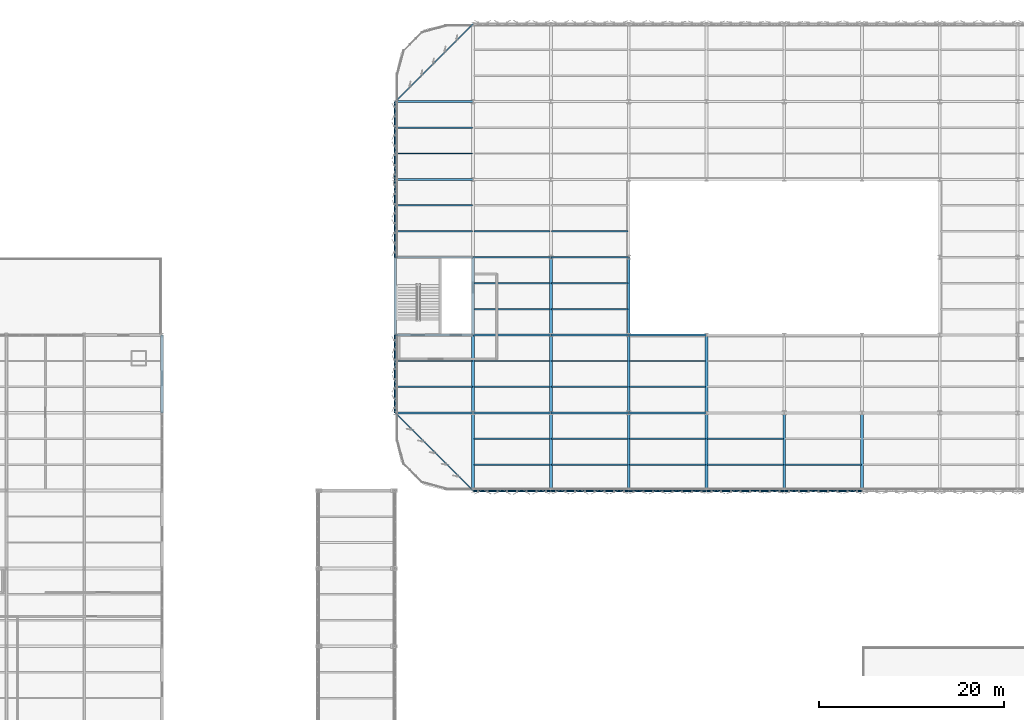
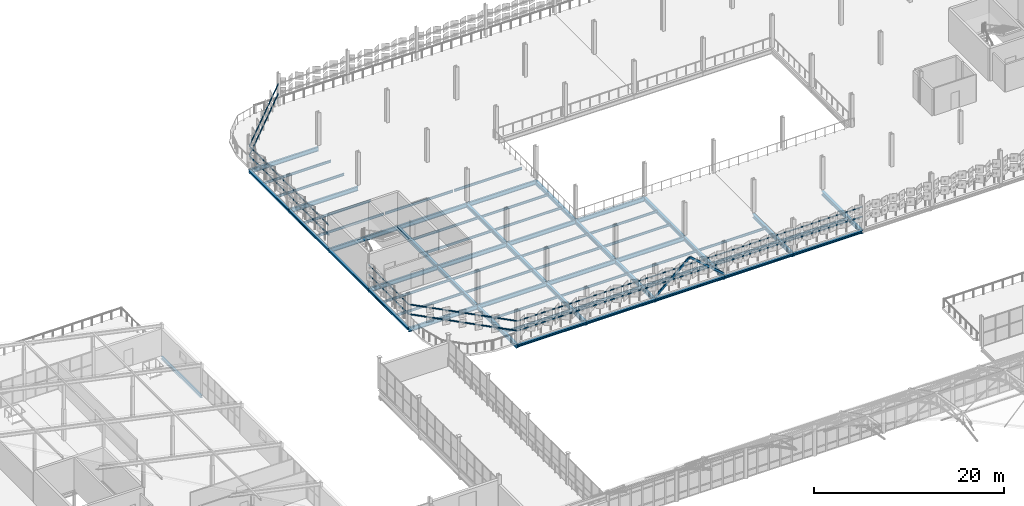
# One storey, part 115 of 184: 83 beams, 2 members.
"""IFC4 building model written with IfcOpenShell, lengths in metres."""

from ifc_helpers import new_model, si_unit, direction, frame, origin, origin_2d, place, context, subcontext, project, spatial, hollow_rectangle, i_section, extrude, material, material_profile, profile_set, type_object, element, save


model = new_model("IFC4")

# Units and contexts
model_context = context("Model", 3, precision=1e-05, world=origin(), true_north=direction((0.0, 1.0)))
body_context = subcontext(model_context, "Body", "Model", "MODEL_VIEW")
ifc_project = project(units=[si_unit("LENGTHUNIT", "METRE"), si_unit("AREAUNIT", "SQUARE_METRE"), si_unit("VOLUMEUNIT", "CUBIC_METRE"), si_unit("PLANEANGLEUNIT", "RADIAN"), si_unit("MASSUNIT", "GRAM", prefix="KILO")], contexts=[model_context])

# Site, building, storey
site_placement = place(None, origin())
site = spatial("IfcSite", under=ifc_project, at=site_placement, CompositionType="ELEMENT")
building_placement = place(site_placement, origin())
building = spatial("IfcBuilding", under=site, at=building_placement, Name="Qalvenar Corner Mobility Hub", CompositionType="ELEMENT")
storey_placement = place(building_placement, frame((0.0, 0.0, 9.0)))
storey = spatial("IfcBuildingStorey", under=building, at=storey_placement, Name="L02", CompositionType="ELEMENT", Elevation=9.0)

# Beams
ifc_material = material(Name="Steel S355", Category="steel")
ifc_material_profile_1 = material_profile(ifc_material, i_section(OverallWidth=0.300048828125, OverallDepth=0.489990234375, WebThickness=0.011962890625, FlangeThickness=0.02294921875, FilletRadius=0.027099609375, at=origin_2d()), Name="HEA500")
ifc_profile_set_1 = profile_set([ifc_material_profile_1], Name="Steel S355")
beam_type_1 = type_object("IfcBeamType", Name="BM-HEA500", PredefinedType="BEAM", material=ifc_profile_set_1)
beam_1_placement = place(storey_placement, frame((67.199951171875, 67.199951171875, -0.485107421875), z_axis=(0.0, 1.0, 0.0), x_axis=(-1.0, 0.0, 0.0)))
element("IfcBeam", 1, at=beam_1_placement, inside=storey, type_object=beam_type_1, Name="Primary Steel Girder GY-1968", PredefinedType="BEAM", context=body_context, shape_type="SweptSolid", body=[
    extrude(i_section(OverallWidth=0.300048828125, OverallDepth=0.489990234375, WebThickness=0.011962890625, FlangeThickness=0.02294921875, FilletRadius=0.027099609375, at=origin_2d()), origin(), (0.0, 0.0, 1.0), 8.400146484375),
])
for number, where, z_axis, x_axis, name in (
    (2, (67.199951171875, 75.60009765625, -0.485107421875), (0.0, 1.0, 0.0), (-1.0, 0.0, 0.0), "Primary Steel Girder GY-1969"),
    (3, (67.199951171875, 84.0, -0.485107421875), (0.0, 1.0, 0.0), (-1.0, 0.0, 0.0), "Primary Steel Girder GY-1970"),
):
    element("IfcBeam", number, at=place(storey_placement, frame(where, z_axis=z_axis, x_axis=x_axis)), inside=storey, type_object=beam_type_1, Name=name, PredefinedType="BEAM", context=body_context, shape_type="SweptSolid", body=[
        extrude(i_section(OverallWidth=0.300048828125, OverallDepth=0.489990234375, WebThickness=0.011962890625, FlangeThickness=0.02294921875, FilletRadius=0.027099609375, at=origin_2d()), origin(), (0.0, 0.0, 1.0), 8.39990234375),
    ])
beam_2_placement = place(storey_placement, frame((75.60009765625, 67.199951171875, -0.485107421875), z_axis=(0.0, 1.0, 0.0), x_axis=(-1.0, 0.0, 0.0)))
element("IfcBeam", 4, at=beam_2_placement, inside=storey, type_object=beam_type_1, Name="Primary Steel Girder GY-1974", PredefinedType="BEAM", context=body_context, shape_type="SweptSolid", body=[
    extrude(i_section(OverallWidth=0.300048828125, OverallDepth=0.489990234375, WebThickness=0.011962890625, FlangeThickness=0.02294921875, FilletRadius=0.027099609375, at=origin_2d()), origin(), (0.0, 0.0, 1.0), 8.400146484375),
])
for number, where, z_axis, x_axis, name in (
    (5, (75.60009765625, 75.60009765625, -0.485107421875), (0.0, 1.0, 0.0), (-1.0, 0.0, 0.0), "Primary Steel Girder GY-1975"),
    (6, (75.60009765625, 84.0, -0.485107421875), (0.0, 1.0, 0.0), (-1.0, 0.0, 0.0), "Primary Steel Girder GY-1976"),
):
    element("IfcBeam", number, at=place(storey_placement, frame(where, z_axis=z_axis, x_axis=x_axis)), inside=storey, type_object=beam_type_1, Name=name, PredefinedType="BEAM", context=body_context, shape_type="SweptSolid", body=[
        extrude(i_section(OverallWidth=0.300048828125, OverallDepth=0.489990234375, WebThickness=0.011962890625, FlangeThickness=0.02294921875, FilletRadius=0.027099609375, at=origin_2d()), origin(), (0.0, 0.0, 1.0), 8.39990234375),
    ])
beam_3_placement = place(storey_placement, frame((84.0, 67.199951171875, -0.485107421875), z_axis=(0.0, 1.0, 0.0), x_axis=(-1.0, 0.0, 0.0)))
element("IfcBeam", 7, at=beam_3_placement, inside=storey, type_object=beam_type_1, Name="Primary Steel Girder GY-1980", PredefinedType="BEAM", context=body_context, shape_type="SweptSolid", body=[
    extrude(i_section(OverallWidth=0.300048828125, OverallDepth=0.489990234375, WebThickness=0.011962890625, FlangeThickness=0.02294921875, FilletRadius=0.027099609375, at=origin_2d()), origin(), (0.0, 0.0, 1.0), 8.400146484375),
])
for number, where, z_axis, x_axis, name in (
    (8, (84.0, 75.60009765625, -0.485107421875), (0.0, 1.0, 0.0), (-1.0, 0.0, 0.0), "Primary Steel Girder GY-1981"),
    (9, (84.0, 84.0, -0.485107421875), (0.0, 1.0, 0.0), (-1.0, 0.0, 0.0), "Primary Steel Girder GY-1982"),
):
    element("IfcBeam", number, at=place(storey_placement, frame(where, z_axis=z_axis, x_axis=x_axis)), inside=storey, type_object=beam_type_1, Name=name, PredefinedType="BEAM", context=body_context, shape_type="SweptSolid", body=[
        extrude(i_section(OverallWidth=0.300048828125, OverallDepth=0.489990234375, WebThickness=0.011962890625, FlangeThickness=0.02294921875, FilletRadius=0.027099609375, at=origin_2d()), origin(), (0.0, 0.0, 1.0), 8.39990234375),
    ])
beam_4_placement = place(storey_placement, frame((92.39990234375, 67.199951171875, -0.485107421875), z_axis=(0.0, 1.0, 0.0), x_axis=(-1.0, 0.0, 0.0)))
element("IfcBeam", 10, at=beam_4_placement, inside=storey, type_object=beam_type_1, Name="Primary Steel Girder GY-1986", PredefinedType="BEAM", context=body_context, shape_type="SweptSolid", body=[
    extrude(i_section(OverallWidth=0.300048828125, OverallDepth=0.489990234375, WebThickness=0.011962890625, FlangeThickness=0.02294921875, FilletRadius=0.027099609375, at=origin_2d()), origin(), (0.0, 0.0, 1.0), 8.400146484375),
])
beam_5_placement = place(storey_placement, frame((92.39990234375, 75.60009765625, -0.485107421875), z_axis=(0.0, 1.0, 0.0), x_axis=(-1.0, 0.0, 0.0)))
element("IfcBeam", 11, at=beam_5_placement, inside=storey, type_object=beam_type_1, Name="Primary Steel Girder GY-1987", PredefinedType="BEAM", context=body_context, shape_type="SweptSolid", body=[
    extrude(i_section(OverallWidth=0.300048828125, OverallDepth=0.489990234375, WebThickness=0.011962890625, FlangeThickness=0.02294921875, FilletRadius=0.027099609375, at=origin_2d()), origin(), (0.0, 0.0, 1.0), 8.39990234375),
])
for number, where, z_axis, x_axis, name in (
    (12, (100.800048828125, 67.199951171875, -0.485107421875), (0.0, 1.0, 0.0), (-1.0, 0.0, 0.0), "Primary Steel Girder GY-1990"),
    (13, (109.199951171875, 67.199951171875, -0.485107421875), (0.0, 1.0, 0.0), (-1.0, 0.0, 0.0), "Primary Steel Girder GY-1994"),
):
    element("IfcBeam", number, at=place(storey_placement, frame(where, z_axis=z_axis, x_axis=x_axis)), inside=storey, type_object=beam_type_1, Name=name, PredefinedType="BEAM", context=body_context, shape_type="SweptSolid", body=[
        extrude(i_section(OverallWidth=0.300048828125, OverallDepth=0.489990234375, WebThickness=0.011962890625, FlangeThickness=0.02294921875, FilletRadius=0.027099609375, at=origin_2d()), origin(), (0.0, 0.0, 1.0), 8.400146484375),
    ])
ifc_material_profile_2 = material_profile(ifc_material, i_section(OverallWidth=0.2099609375, OverallDepth=0.550048828125, WebThickness=0.010986328125, FlangeThickness=0.01708984375, FilletRadius=0.02392578125, at=origin_2d()), Name="IPE550")
ifc_profile_set_2 = profile_set([ifc_material_profile_2], Name="Steel S355")
beam_type_2 = type_object("IfcBeamType", Name="BM-IPE550", PredefinedType="BEAM", material=ifc_profile_set_2)
beam_6_placement = place(storey_placement, frame((58.800048828125, 75.60009765625, -0.514892578125), z_axis=(1.0, 0.0, 0.0), x_axis=(0.0, 1.0, 0.0)))
element("IfcBeam", 14, at=beam_6_placement, inside=storey, type_object=beam_type_2, Name="Primary Steel Girder GX-1910", PredefinedType="BEAM", context=body_context, shape_type="SweptSolid", body=[
    extrude(i_section(OverallWidth=0.2099609375, OverallDepth=0.550048828125, WebThickness=0.010986328125, FlangeThickness=0.01708984375, FilletRadius=0.02392578125, at=origin_2d()), origin(), (0.0, 0.0, 1.0), 8.39990234375),
])
beam_7_placement = place(storey_placement, frame((67.199951171875, 75.60009765625, -0.514892578125), z_axis=(1.0, 0.0, 0.0), x_axis=(0.0, 1.0, 0.0)))
element("IfcBeam", 15, at=beam_7_placement, inside=storey, type_object=beam_type_2, Name="Primary Steel Girder GX-1911", PredefinedType="BEAM", context=body_context, shape_type="SweptSolid", body=[
    extrude(i_section(OverallWidth=0.2099609375, OverallDepth=0.550048828125, WebThickness=0.010986328125, FlangeThickness=0.01708984375, FilletRadius=0.02392578125, at=origin_2d()), origin(), (0.0, 0.0, 1.0), 8.400146484375),
])
for number, where, z_axis, x_axis, name in (
    (16, (75.60009765625, 75.60009765625, -0.514892578125), (1.0, 0.0, 0.0), (0.0, 1.0, 0.0), "Primary Steel Girder GX-1912"),
    (17, (84.0, 75.60009765625, -0.514892578125), (1.0, 0.0, 0.0), (0.0, 1.0, 0.0), "Primary Steel Girder GX-1913"),
    (18, (58.800048828125, 84.0, -0.514892578125), (1.0, 0.0, 0.0), (0.0, 1.0, 0.0), "Primary Steel Girder GX-1920"),
):
    element("IfcBeam", number, at=place(storey_placement, frame(where, z_axis=z_axis, x_axis=x_axis)), inside=storey, type_object=beam_type_2, Name=name, PredefinedType="BEAM", context=body_context, shape_type="SweptSolid", body=[
        extrude(i_section(OverallWidth=0.2099609375, OverallDepth=0.550048828125, WebThickness=0.010986328125, FlangeThickness=0.01708984375, FilletRadius=0.02392578125, at=origin_2d()), origin(), (0.0, 0.0, 1.0), 8.39990234375),
    ])
beam_8_placement = place(storey_placement, frame((67.199951171875, 84.0, -0.514892578125), z_axis=(1.0, 0.0, 0.0), x_axis=(0.0, 1.0, 0.0)))
element("IfcBeam", 19, at=beam_8_placement, inside=storey, type_object=beam_type_2, Name="Primary Steel Girder GX-1921", PredefinedType="BEAM", context=body_context, shape_type="SweptSolid", body=[
    extrude(i_section(OverallWidth=0.2099609375, OverallDepth=0.550048828125, WebThickness=0.010986328125, FlangeThickness=0.01708984375, FilletRadius=0.02392578125, at=origin_2d()), origin(), (0.0, 0.0, 1.0), 8.400146484375),
])
for number, where, z_axis, x_axis, name in (
    (20, (75.60009765625, 84.0, -0.514892578125), (1.0, 0.0, 0.0), (0.0, 1.0, 0.0), "Primary Steel Girder GX-1922"),
    (21, (84.0, 84.0, -0.514892578125), (1.0, 0.0, 0.0), (0.0, 1.0, 0.0), "Primary Steel Girder GX-1923"),
    (22, (58.800048828125, 92.39990234375, -0.514892578125), (1.0, 0.0, 0.0), (0.0, 1.0, 0.0), "Primary Steel Girder GX-1930"),
):
    element("IfcBeam", number, at=place(storey_placement, frame(where, z_axis=z_axis, x_axis=x_axis)), inside=storey, type_object=beam_type_2, Name=name, PredefinedType="BEAM", context=body_context, shape_type="SweptSolid", body=[
        extrude(i_section(OverallWidth=0.2099609375, OverallDepth=0.550048828125, WebThickness=0.010986328125, FlangeThickness=0.01708984375, FilletRadius=0.02392578125, at=origin_2d()), origin(), (0.0, 0.0, 1.0), 8.39990234375),
    ])
beam_9_placement = place(storey_placement, frame((67.199951171875, 92.39990234375, -0.514892578125), z_axis=(1.0, 0.0, 0.0), x_axis=(0.0, 1.0, 0.0)))
element("IfcBeam", 23, at=beam_9_placement, inside=storey, type_object=beam_type_2, Name="Primary Steel Girder GX-1931", PredefinedType="BEAM", context=body_context, shape_type="SweptSolid", body=[
    extrude(i_section(OverallWidth=0.2099609375, OverallDepth=0.550048828125, WebThickness=0.010986328125, FlangeThickness=0.01708984375, FilletRadius=0.02392578125, at=origin_2d()), origin(), (0.0, 0.0, 1.0), 8.400146484375),
])
for number, where, z_axis, x_axis, name in (
    (24, (75.60009765625, 92.39990234375, -0.514892578125), (1.0, 0.0, 0.0), (0.0, 1.0, 0.0), "Primary Steel Girder GX-1932"),
    (25, (58.800048828125, 100.800048828125, -0.514892578125), (1.0, 0.0, 0.0), (0.0, 1.0, 0.0), "Primary Steel Girder GX-1936"),
    (26, (58.800048828125, 109.199951171875, -0.514892578125), (1.0, 0.0, 0.0), (0.0, 1.0, 0.0), "Primary Steel Girder GX-1946"),
):
    element("IfcBeam", number, at=place(storey_placement, frame(where, z_axis=z_axis, x_axis=x_axis)), inside=storey, type_object=beam_type_2, Name=name, PredefinedType="BEAM", context=body_context, shape_type="SweptSolid", body=[
        extrude(i_section(OverallWidth=0.2099609375, OverallDepth=0.550048828125, WebThickness=0.010986328125, FlangeThickness=0.01708984375, FilletRadius=0.02392578125, at=origin_2d()), origin(), (0.0, 0.0, 1.0), 8.39990234375),
    ])
ifc_material_profile_3 = material_profile(ifc_material, i_section(OverallWidth=0.14990234375, OverallDepth=0.300048828125, WebThickness=0.007080078125, FlangeThickness=0.0107421875, FilletRadius=0.014892578125, at=origin_2d()), Name="IPE300")
ifc_profile_set_3 = profile_set([ifc_material_profile_3], Name="Steel S355")
beam_type_3 = type_object("IfcBeamType", Name="BM-JST300", PredefinedType="JOIST", material=ifc_profile_set_3)
for number, where, z_axis, x_axis, name in (
    (27, (58.8779296875, 78.39990234375, -0.389892578125), (1.0, 0.0, 0.0), (0.0, 1.0, 0.0), "Composite Floor Joist J-2020"),
    (28, (58.8779296875, 81.199951171875, -0.389892578125), (1.0, 0.0, 0.0), (0.0, 1.0, 0.0), "Composite Floor Joist J-2021"),
    (29, (58.8779296875, 95.199951171875, -0.389892578125), (1.0, 0.0, 0.0), (0.0, 1.0, 0.0), "Composite Floor Joist J-2022"),
    (30, (58.8779296875, 98.0, -0.389892578125), (1.0, 0.0, 0.0), (0.0, 1.0, 0.0), "Composite Floor Joist J-2023"),
    (31, (58.8779296875, 103.60009765625, -0.389892578125), (1.0, 0.0, 0.0), (0.0, 1.0, 0.0), "Composite Floor Joist J-2024"),
    (32, (58.8779296875, 106.39990234375, -0.389892578125), (1.0, 0.0, 0.0), (0.0, 1.0, 0.0), "Composite Floor Joist J-2025"),
):
    element("IfcBeam", number, at=place(storey_placement, frame(where, z_axis=z_axis, x_axis=x_axis)), inside=storey, type_object=beam_type_3, Name=name, PredefinedType="JOIST", context=body_context, shape_type="SweptSolid", body=[
        extrude(i_section(OverallWidth=0.14990234375, OverallDepth=0.300048828125, WebThickness=0.007080078125, FlangeThickness=0.0107421875, FilletRadius=0.014892578125, at=origin_2d()), origin(), (0.0, 0.0, 1.0), 8.244140625),
    ])
for number, where, z_axis, x_axis, name in (
    (33, (67.278076171875, 70.0, -0.389892578125), (1.0, 0.0, 0.0), (0.0, 1.0, 0.0), "Composite Floor Joist J-2026"),
    (34, (67.278076171875, 72.800048828125, -0.389892578125), (1.0, 0.0, 0.0), (0.0, 1.0, 0.0), "Composite Floor Joist J-2027"),
    (35, (67.278076171875, 78.39990234375, -0.389892578125), (1.0, 0.0, 0.0), (0.0, 1.0, 0.0), "Composite Floor Joist J-2028"),
    (36, (67.278076171875, 81.199951171875, -0.389892578125), (1.0, 0.0, 0.0), (0.0, 1.0, 0.0), "Composite Floor Joist J-2029"),
    (37, (67.278076171875, 86.800048828125, -0.389892578125), (1.0, 0.0, 0.0), (0.0, 1.0, 0.0), "Composite Floor Joist J-2030"),
    (38, (67.278076171875, 89.60009765625, -0.389892578125), (1.0, 0.0, 0.0), (0.0, 1.0, 0.0), "Composite Floor Joist J-2031"),
    (39, (67.278076171875, 95.199951171875, -0.389892578125), (1.0, 0.0, 0.0), (0.0, 1.0, 0.0), "Composite Floor Joist J-2032"),
):
    element("IfcBeam", number, at=place(storey_placement, frame(where, z_axis=z_axis, x_axis=x_axis)), inside=storey, type_object=beam_type_3, Name=name, PredefinedType="JOIST", context=body_context, shape_type="SweptSolid", body=[
        extrude(i_section(OverallWidth=0.14990234375, OverallDepth=0.300048828125, WebThickness=0.007080078125, FlangeThickness=0.0107421875, FilletRadius=0.014892578125, at=origin_2d()), origin(), (0.0, 0.0, 1.0), 8.243896484375),
    ])
for number, where, z_axis, x_axis, name in (
    (40, (75.677978515625, 70.0, -0.389892578125), (1.0, 0.0, 0.0), (0.0, 1.0, 0.0), "Composite Floor Joist J-2038"),
    (41, (75.677978515625, 72.800048828125, -0.389892578125), (1.0, 0.0, 0.0), (0.0, 1.0, 0.0), "Composite Floor Joist J-2039"),
    (42, (75.677978515625, 78.39990234375, -0.389892578125), (1.0, 0.0, 0.0), (0.0, 1.0, 0.0), "Composite Floor Joist J-2040"),
    (43, (75.677978515625, 81.199951171875, -0.389892578125), (1.0, 0.0, 0.0), (0.0, 1.0, 0.0), "Composite Floor Joist J-2041"),
    (44, (75.677978515625, 86.800048828125, -0.389892578125), (1.0, 0.0, 0.0), (0.0, 1.0, 0.0), "Composite Floor Joist J-2042"),
    (45, (75.677978515625, 89.60009765625, -0.389892578125), (1.0, 0.0, 0.0), (0.0, 1.0, 0.0), "Composite Floor Joist J-2043"),
    (46, (75.677978515625, 95.199951171875, -0.389892578125), (1.0, 0.0, 0.0), (0.0, 1.0, 0.0), "Composite Floor Joist J-2044"),
    (47, (84.077880859375, 70.0, -0.389892578125), (1.0, 0.0, 0.0), (0.0, 1.0, 0.0), "Composite Floor Joist J-2050"),
    (48, (84.077880859375, 72.800048828125, -0.389892578125), (1.0, 0.0, 0.0), (0.0, 1.0, 0.0), "Composite Floor Joist J-2051"),
    (49, (84.077880859375, 78.39990234375, -0.389892578125), (1.0, 0.0, 0.0), (0.0, 1.0, 0.0), "Composite Floor Joist J-2052"),
    (50, (84.077880859375, 81.199951171875, -0.389892578125), (1.0, 0.0, 0.0), (0.0, 1.0, 0.0), "Composite Floor Joist J-2053"),
):
    element("IfcBeam", number, at=place(storey_placement, frame(where, z_axis=z_axis, x_axis=x_axis)), inside=storey, type_object=beam_type_3, Name=name, PredefinedType="JOIST", context=body_context, shape_type="SweptSolid", body=[
        extrude(i_section(OverallWidth=0.14990234375, OverallDepth=0.300048828125, WebThickness=0.007080078125, FlangeThickness=0.0107421875, FilletRadius=0.014892578125, at=origin_2d()), origin(), (0.0, 0.0, 1.0), 8.244140625),
    ])
for number, where, z_axis, x_axis, name in (
    (51, (92.47802734375, 70.0, -0.389892578125), (1.0, 0.0, 0.0), (0.0, 1.0, 0.0), "Composite Floor Joist J-2058"),
    (52, (92.47802734375, 72.800048828125, -0.389892578125), (1.0, 0.0, 0.0), (0.0, 1.0, 0.0), "Composite Floor Joist J-2059"),
):
    element("IfcBeam", number, at=place(storey_placement, frame(where, z_axis=z_axis, x_axis=x_axis)), inside=storey, type_object=beam_type_3, Name=name, PredefinedType="JOIST", context=body_context, shape_type="SweptSolid", body=[
        extrude(i_section(OverallWidth=0.14990234375, OverallDepth=0.300048828125, WebThickness=0.007080078125, FlangeThickness=0.0107421875, FilletRadius=0.014892578125, at=origin_2d()), origin(), (0.0, 0.0, 1.0), 8.243896484375),
    ])
beam_10_placement = place(storey_placement, frame((100.8779296875, 70.0, -0.389892578125), z_axis=(1.0, 0.0, 0.0), x_axis=(0.0, 1.0, 0.0)))
element("IfcBeam", 53, at=beam_10_placement, inside=storey, type_object=beam_type_3, Name="Composite Floor Joist J-2066", PredefinedType="JOIST", context=body_context, shape_type="SweptSolid", body=[
    extrude(i_section(OverallWidth=0.14990234375, OverallDepth=0.300048828125, WebThickness=0.007080078125, FlangeThickness=0.0107421875, FilletRadius=0.014892578125, at=origin_2d()), origin(), (0.0, 0.0, 1.0), 8.244140625),
])
ifc_material_profile_4 = material_profile(ifc_material, i_section(OverallWidth=0.300048828125, OverallDepth=0.2900390625, WebThickness=0.008544921875, FlangeThickness=0.013916015625, FilletRadius=0.027099609375, at=origin_2d()), Name="HEA300")
ifc_profile_set_4 = profile_set([ifc_material_profile_4], Name="Steel S355")
beam_type_4 = type_object("IfcBeamType", Name="BM-SPN300", PredefinedType="SPANDREL", material=ifc_profile_set_4)
for number, where, z_axis, x_axis, name in (
    (54, (33.60009765625, 75.60009765625, -0.324951171875), (0.0, 1.0, 0.0), (-1.0, 0.0, 0.0), "Primary Steel Girder GY-1863"),
    (55, (58.800048828125, 75.60009765625, -0.385009765625), (0.0, 1.0, 0.0), (-1.0, 0.0, 0.0), "Primary Steel Girder GY-1964"),
    (56, (58.800048828125, 84.0, -0.385009765625), (0.0, 1.0, 0.0), (-1.0, 0.0, 0.0), "Primary Steel Girder GY-1965"),
):
    element("IfcBeam", number, at=place(storey_placement, frame(where, z_axis=z_axis, x_axis=x_axis)), inside=storey, type_object=beam_type_4, Name=name, PredefinedType="SPANDREL", context=body_context, shape_type="SweptSolid", body=[
        extrude(i_section(OverallWidth=0.300048828125, OverallDepth=0.2900390625, WebThickness=0.008544921875, FlangeThickness=0.013916015625, FilletRadius=0.027099609375, at=origin_2d()), origin(), (0.0, 0.0, 1.0), 8.39990234375),
    ])
beam_11_placement = place(storey_placement, frame((58.800048828125, 92.39990234375, -0.385009765625), z_axis=(0.0, 1.0, 0.0), x_axis=(-1.0, 0.0, 0.0)))
element("IfcBeam", 57, at=beam_11_placement, inside=storey, type_object=beam_type_4, Name="Primary Steel Girder GY-1966", PredefinedType="SPANDREL", context=body_context, shape_type="SweptSolid", body=[
    extrude(i_section(OverallWidth=0.300048828125, OverallDepth=0.2900390625, WebThickness=0.008544921875, FlangeThickness=0.013916015625, FilletRadius=0.027099609375, at=origin_2d()), origin(), (0.0, 0.0, 1.0), 8.400146484375),
])
beam_12_placement = place(storey_placement, frame((58.800048828125, 100.800048828125, -0.385009765625), z_axis=(0.0, 1.0, 0.0), x_axis=(-1.0, 0.0, 0.0)))
element("IfcBeam", 58, at=beam_12_placement, inside=storey, type_object=beam_type_4, Name="Primary Steel Girder GY-1967", PredefinedType="SPANDREL", context=body_context, shape_type="SweptSolid", body=[
    extrude(i_section(OverallWidth=0.300048828125, OverallDepth=0.2900390625, WebThickness=0.008544921875, FlangeThickness=0.013916015625, FilletRadius=0.027099609375, at=origin_2d()), origin(), (0.0, 0.0, 1.0), 8.39990234375),
])
ifc_material_profile_5 = material_profile(ifc_material, i_section(OverallWidth=0.300048828125, OverallDepth=0.31005859375, WebThickness=0.009033203125, FlangeThickness=0.015380859375, FilletRadius=0.027099609375, at=origin_2d()), Name="HEA320")
ifc_profile_set_5 = profile_set([ifc_material_profile_5], Name="Steel S355")
beam_type_5 = type_object("IfcBeamType", Name="BM-SPN320", PredefinedType="SPANDREL", material=ifc_profile_set_5)
beam_13_placement = place(storey_placement, frame((67.199951171875, 67.199951171875, -0.39501953125), z_axis=(1.0, 0.0, 0.0), x_axis=(0.0, 1.0, 0.0)))
element("IfcBeam", 59, at=beam_13_placement, inside=storey, type_object=beam_type_5, Name="Primary Steel Girder GX-1902", PredefinedType="SPANDREL", context=body_context, shape_type="SweptSolid", body=[
    extrude(i_section(OverallWidth=0.300048828125, OverallDepth=0.31005859375, WebThickness=0.009033203125, FlangeThickness=0.015380859375, FilletRadius=0.027099609375, at=origin_2d()), origin(), (0.0, 0.0, 1.0), 8.400146484375),
])
for number, where, z_axis, x_axis, name in (
    (60, (75.60009765625, 67.199951171875, -0.39501953125), (1.0, 0.0, 0.0), (0.0, 1.0, 0.0), "Primary Steel Girder GX-1903"),
    (61, (84.0, 67.199951171875, -0.39501953125), (1.0, 0.0, 0.0), (0.0, 1.0, 0.0), "Primary Steel Girder GX-1904"),
):
    element("IfcBeam", number, at=place(storey_placement, frame(where, z_axis=z_axis, x_axis=x_axis)), inside=storey, type_object=beam_type_5, Name=name, PredefinedType="SPANDREL", context=body_context, shape_type="SweptSolid", body=[
        extrude(i_section(OverallWidth=0.300048828125, OverallDepth=0.31005859375, WebThickness=0.009033203125, FlangeThickness=0.015380859375, FilletRadius=0.027099609375, at=origin_2d()), origin(), (0.0, 0.0, 1.0), 8.39990234375),
    ])
beam_14_placement = place(storey_placement, frame((92.39990234375, 67.199951171875, -0.39501953125), z_axis=(1.0, 0.0, 0.0), x_axis=(0.0, 1.0, 0.0)))
element("IfcBeam", 62, at=beam_14_placement, inside=storey, type_object=beam_type_5, Name="Primary Steel Girder GX-1905", PredefinedType="SPANDREL", context=body_context, shape_type="SweptSolid", body=[
    extrude(i_section(OverallWidth=0.300048828125, OverallDepth=0.31005859375, WebThickness=0.009033203125, FlangeThickness=0.015380859375, FilletRadius=0.027099609375, at=origin_2d()), origin(), (0.0, 0.0, 1.0), 8.400146484375),
])
beam_15_placement = place(storey_placement, frame((100.800048828125, 67.199951171875, -0.39501953125), z_axis=(1.0, 0.0, 0.0), x_axis=(0.0, 1.0, 0.0)))
element("IfcBeam", 63, at=beam_15_placement, inside=storey, type_object=beam_type_5, Name="Primary Steel Girder GX-1906", PredefinedType="SPANDREL", context=body_context, shape_type="SweptSolid", body=[
    extrude(i_section(OverallWidth=0.300048828125, OverallDepth=0.31005859375, WebThickness=0.009033203125, FlangeThickness=0.015380859375, FilletRadius=0.027099609375, at=origin_2d()), origin(), (0.0, 0.0, 1.0), 8.39990234375),
])

# Members
ifc_material_profile_6 = material_profile(ifc_material, hollow_rectangle(XDim=0.14990234375, YDim=0.25, WallThickness=0.010009765625, InnerFilletRadius=0.010009765625, OuterFilletRadius=0.02001953125, at=origin_2d()), Name="RHS250x150x10")
ifc_profile_set_6 = profile_set([ifc_material_profile_6], Name="Steel S355")
member_type = type_object("IfcMemberType", Name="BR-RHS250", PredefinedType="BRACE", material=ifc_profile_set_6)
for number, where, z_axis, x_axis, name in (
    (64, (84.0, 67.199951171875, 0.02001953125), (0.757479038629, 0.0, 0.652859484145), (0.0, 1.0, 0.0), "Chevron Lateral Brace BR-025"),
    (65, (92.39990234375, 67.199951171875, 0.02001953125), (-0.757479038629, 0.0, 0.652859484145), (0.0, -1.0, 0.0), "Chevron Lateral Brace BR-026"),
):
    element("IfcMember", number, at=place(storey_placement, frame(where, z_axis=z_axis, x_axis=x_axis)), inside=storey, type_object=member_type, Name=name, PredefinedType="BRACE", context=body_context, shape_type="SweptSolid", body=[
        extrude(hollow_rectangle(XDim=0.14990234375, YDim=0.25, WallThickness=0.010009765625, InnerFilletRadius=0.010009765625, OuterFilletRadius=0.02001953125, at=origin_2d()), origin(), (0.0, 0.0, 1.0), 5.544677734375),
    ])

# Beams
ifc_material_profile_7 = material_profile(ifc_material, hollow_rectangle(XDim=0.080078125, YDim=0.139892578125, WallThickness=0.0048828125, InnerFilletRadius=0.0048828125, OuterFilletRadius=0.010009765625, at=origin_2d()), Name="RHS140x80x5")
ifc_profile_set_7 = profile_set([ifc_material_profile_7], Name="Steel S355")
beam_type_6 = type_object("IfcBeamType", Name="FR-RAIL140", PredefinedType="SPANDREL", material=ifc_profile_set_7)
beam_16_placement = place(storey_placement, frame((67.199951171875, 67.199951171875, 2.75), z_axis=(1.0, 0.0, 0.0), x_axis=(0.0, 1.0, 0.0)))
element("IfcBeam", 66, at=beam_16_placement, inside=storey, type_object=beam_type_6, Name="Facade Hinge Support Rail FR-L02-0050", PredefinedType="SPANDREL", context=body_context, shape_type="SweptSolid", body=[
    extrude(hollow_rectangle(XDim=0.080078125, YDim=0.139892578125, WallThickness=0.0048828125, InnerFilletRadius=0.0048828125, OuterFilletRadius=0.010009765625, at=origin_2d()), origin(), (0.0, 0.0, 1.0), 8.400146484375),
])
for number, where, z_axis, x_axis, name in (
    (67, (75.60009765625, 67.199951171875, 2.75), (1.0, 0.0, 0.0), (0.0, 1.0, 0.0), "Facade Hinge Support Rail FR-L02-0052"),
    (68, (84.0, 67.199951171875, 2.75), (1.0, 0.0, 0.0), (0.0, 1.0, 0.0), "Facade Hinge Support Rail FR-L02-0054"),
):
    element("IfcBeam", number, at=place(storey_placement, frame(where, z_axis=z_axis, x_axis=x_axis)), inside=storey, type_object=beam_type_6, Name=name, PredefinedType="SPANDREL", context=body_context, shape_type="SweptSolid", body=[
        extrude(hollow_rectangle(XDim=0.080078125, YDim=0.139892578125, WallThickness=0.0048828125, InnerFilletRadius=0.0048828125, OuterFilletRadius=0.010009765625, at=origin_2d()), origin(), (0.0, 0.0, 1.0), 8.39990234375),
    ])
beam_17_placement = place(storey_placement, frame((92.39990234375, 67.199951171875, 2.75), z_axis=(1.0, 0.0, 0.0), x_axis=(0.0, 1.0, 0.0)))
element("IfcBeam", 69, at=beam_17_placement, inside=storey, type_object=beam_type_6, Name="Facade Hinge Support Rail FR-L02-0056", PredefinedType="SPANDREL", context=body_context, shape_type="SweptSolid", body=[
    extrude(hollow_rectangle(XDim=0.080078125, YDim=0.139892578125, WallThickness=0.0048828125, InnerFilletRadius=0.0048828125, OuterFilletRadius=0.010009765625, at=origin_2d()), origin(), (0.0, 0.0, 1.0), 8.400146484375),
])
for number, where, z_axis, x_axis, name in (
    (70, (100.800048828125, 67.199951171875, 2.75), (1.0, 0.0, 0.0), (0.0, 1.0, 0.0), "Facade Hinge Support Rail FR-L02-0058"),
    (71, (58.800048828125, 84.0, 2.75), (0.0, -1.0, 0.0), (1.0, 0.0, 0.0), "Facade Hinge Support Rail FR-L02-0082"),
    (72, (58.800048828125, 109.199951171875, 2.75), (0.0, -1.0, 0.0), (1.0, 0.0, 0.0), "Facade Hinge Support Rail FR-L02-0084"),
):
    element("IfcBeam", number, at=place(storey_placement, frame(where, z_axis=z_axis, x_axis=x_axis)), inside=storey, type_object=beam_type_6, Name=name, PredefinedType="SPANDREL", context=body_context, shape_type="SweptSolid", body=[
        extrude(hollow_rectangle(XDim=0.080078125, YDim=0.139892578125, WallThickness=0.0048828125, InnerFilletRadius=0.0048828125, OuterFilletRadius=0.010009765625, at=origin_2d()), origin(), (0.0, 0.0, 1.0), 8.39990234375),
    ])
beam_18_placement = place(storey_placement, frame((58.800048828125, 100.800048828125, 2.75), z_axis=(0.0, -1.0, 0.0), x_axis=(1.0, 0.0, 0.0)))
element("IfcBeam", 73, at=beam_18_placement, inside=storey, type_object=beam_type_6, Name="Facade Hinge Support Rail FR-L02-0086", PredefinedType="SPANDREL", context=body_context, shape_type="SweptSolid", body=[
    extrude(hollow_rectangle(XDim=0.080078125, YDim=0.139892578125, WallThickness=0.0048828125, InnerFilletRadius=0.0048828125, OuterFilletRadius=0.010009765625, at=origin_2d()), origin(), (0.0, 0.0, 1.0), 8.400146484375),
])
ifc_material_profile_8 = material_profile(ifc_material, hollow_rectangle(XDim=0.10009765625, YDim=0.14990234375, WallThickness=0.00634765625, InnerFilletRadius=0.00634765625, OuterFilletRadius=0.0126953125, at=origin_2d()), Name="RHS150x100x6.3")
ifc_profile_set_8 = profile_set([ifc_material_profile_8], Name="Steel S355")
beam_type_7 = type_object("IfcBeamType", Name="FR-RAIL150", PredefinedType="SPANDREL", material=ifc_profile_set_8)
for number, where, z_axis, x_axis, name in (
    (74, (58.800048828125, 75.60009765625, 1.5), (0.707096505339, -0.707117056885, 0.0), (0.707117056885, 0.707096505339, 0.0), "Corner Facade Rail FRC-L02-0089"),
    (75, (58.800048828125, 75.60009765625, 2.75), (0.707096505339, -0.707117056885, 0.0), (0.707117056885, 0.707096505339, 0.0), "Corner Facade Rail FRC-L02-0090"),
    (76, (67.199951171875, 117.60009765625, 1.5), (-0.707096505339, -0.707117056885, 0.0), (0.707117056885, -0.707096505339, 0.0), "Corner Facade Rail FRC-L02-0095"),
    (77, (67.199951171875, 117.60009765625, 2.75), (-0.707096505339, -0.707117056885, 0.0), (0.707117056885, -0.707096505339, 0.0), "Corner Facade Rail FRC-L02-0096"),
):
    element("IfcBeam", number, at=place(storey_placement, frame(where, z_axis=z_axis, x_axis=x_axis)), inside=storey, type_object=beam_type_7, Name=name, PredefinedType="SPANDREL", context=body_context, shape_type="SweptSolid", body=[
        extrude(hollow_rectangle(XDim=0.10009765625, YDim=0.14990234375, WallThickness=0.00634765625, InnerFilletRadius=0.00634765625, OuterFilletRadius=0.0126953125, at=origin_2d()), origin(), (0.0, 0.0, 1.0), 11.87939453125),
    ])
ifc_material_profile_9 = material_profile(ifc_material, hollow_rectangle(XDim=0.090087890625, YDim=0.159912109375, WallThickness=0.00634765625, InnerFilletRadius=0.00634765625, OuterFilletRadius=0.0126953125, at=origin_2d()), Name="RHS160x90x6.3")
ifc_profile_set_9 = profile_set([ifc_material_profile_9], Name="Steel S355")
beam_type_8 = type_object("IfcBeamType", Name="FR-RAIL160", PredefinedType="SPANDREL", material=ifc_profile_set_9)
beam_19_placement = place(storey_placement, frame((67.199951171875, 67.199951171875, 1.5), z_axis=(1.0, 0.0, 0.0), x_axis=(0.0, 1.0, 0.0)))
element("IfcBeam", 78, at=beam_19_placement, inside=storey, type_object=beam_type_8, Name="Facade Hinge Support Rail FR-L02-0049", PredefinedType="SPANDREL", context=body_context, shape_type="SweptSolid", body=[
    extrude(hollow_rectangle(XDim=0.090087890625, YDim=0.159912109375, WallThickness=0.00634765625, InnerFilletRadius=0.00634765625, OuterFilletRadius=0.0126953125, at=origin_2d()), origin(), (0.0, 0.0, 1.0), 8.400146484375),
])
for number, where, z_axis, x_axis, name in (
    (79, (75.60009765625, 67.199951171875, 1.5), (1.0, 0.0, 0.0), (0.0, 1.0, 0.0), "Facade Hinge Support Rail FR-L02-0051"),
    (80, (84.0, 67.199951171875, 1.5), (1.0, 0.0, 0.0), (0.0, 1.0, 0.0), "Facade Hinge Support Rail FR-L02-0053"),
):
    element("IfcBeam", number, at=place(storey_placement, frame(where, z_axis=z_axis, x_axis=x_axis)), inside=storey, type_object=beam_type_8, Name=name, PredefinedType="SPANDREL", context=body_context, shape_type="SweptSolid", body=[
        extrude(hollow_rectangle(XDim=0.090087890625, YDim=0.159912109375, WallThickness=0.00634765625, InnerFilletRadius=0.00634765625, OuterFilletRadius=0.0126953125, at=origin_2d()), origin(), (0.0, 0.0, 1.0), 8.39990234375),
    ])
beam_20_placement = place(storey_placement, frame((92.39990234375, 67.199951171875, 1.5), z_axis=(1.0, 0.0, 0.0), x_axis=(0.0, 1.0, 0.0)))
element("IfcBeam", 81, at=beam_20_placement, inside=storey, type_object=beam_type_8, Name="Facade Hinge Support Rail FR-L02-0055", PredefinedType="SPANDREL", context=body_context, shape_type="SweptSolid", body=[
    extrude(hollow_rectangle(XDim=0.090087890625, YDim=0.159912109375, WallThickness=0.00634765625, InnerFilletRadius=0.00634765625, OuterFilletRadius=0.0126953125, at=origin_2d()), origin(), (0.0, 0.0, 1.0), 8.400146484375),
])
for number, where, z_axis, x_axis, name in (
    (82, (100.800048828125, 67.199951171875, 1.5), (1.0, 0.0, 0.0), (0.0, 1.0, 0.0), "Facade Hinge Support Rail FR-L02-0057"),
    (83, (58.800048828125, 84.0, 1.5), (0.0, -1.0, 0.0), (1.0, 0.0, 0.0), "Facade Hinge Support Rail FR-L02-0081"),
    (84, (58.800048828125, 109.199951171875, 1.5), (0.0, -1.0, 0.0), (1.0, 0.0, 0.0), "Facade Hinge Support Rail FR-L02-0083"),
):
    element("IfcBeam", number, at=place(storey_placement, frame(where, z_axis=z_axis, x_axis=x_axis)), inside=storey, type_object=beam_type_8, Name=name, PredefinedType="SPANDREL", context=body_context, shape_type="SweptSolid", body=[
        extrude(hollow_rectangle(XDim=0.090087890625, YDim=0.159912109375, WallThickness=0.00634765625, InnerFilletRadius=0.00634765625, OuterFilletRadius=0.0126953125, at=origin_2d()), origin(), (0.0, 0.0, 1.0), 8.39990234375),
    ])
beam_21_placement = place(storey_placement, frame((58.800048828125, 100.800048828125, 1.5), z_axis=(0.0, -1.0, 0.0), x_axis=(1.0, 0.0, 0.0)))
element("IfcBeam", 85, at=beam_21_placement, inside=storey, type_object=beam_type_8, Name="Facade Hinge Support Rail FR-L02-0085", PredefinedType="SPANDREL", context=body_context, shape_type="SweptSolid", body=[
    extrude(hollow_rectangle(XDim=0.090087890625, YDim=0.159912109375, WallThickness=0.00634765625, InnerFilletRadius=0.00634765625, OuterFilletRadius=0.0126953125, at=origin_2d()), origin(), (0.0, 0.0, 1.0), 8.400146484375),
])

save(model, "model.ifc")
